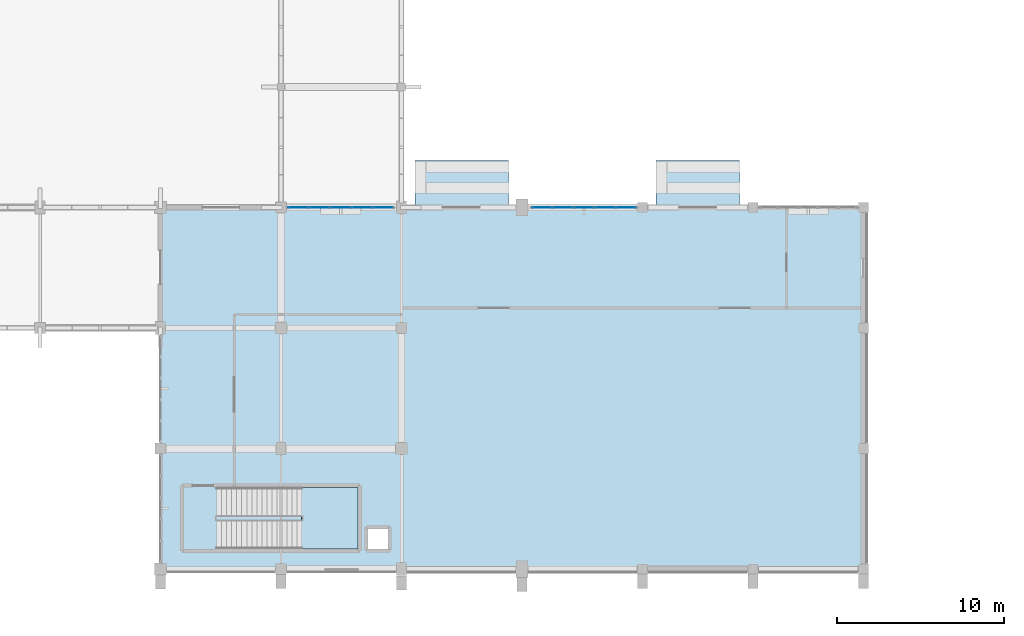
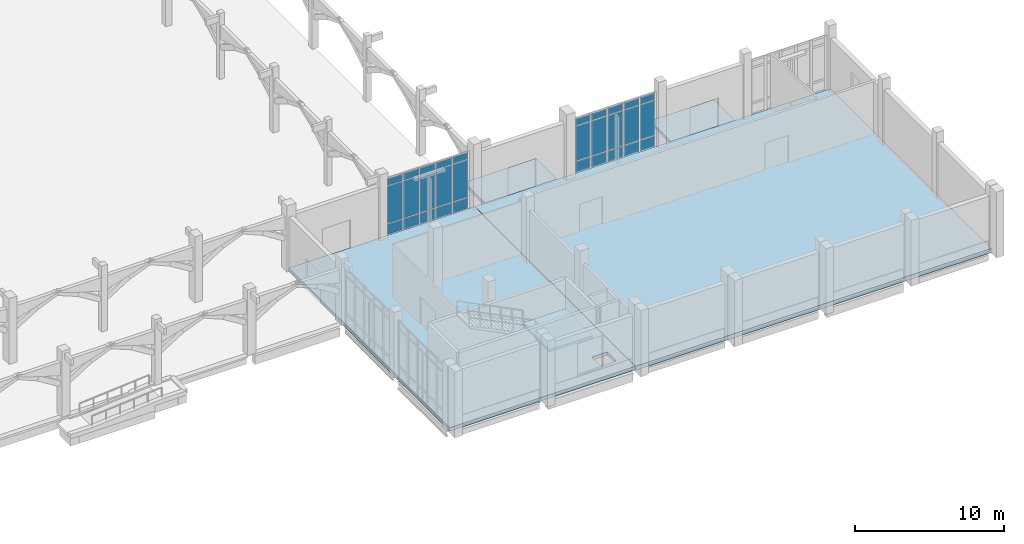
# One storey, part 78 of 110: 30 plates, 5 slabs, 3 elements without a shape of their own.
"""IFC4 building model written with IfcOpenShell, lengths in metres."""

from ifc_helpers import new_model, si_unit, direction, frame, origin, origin_2d, place, context, subcontext, project, spatial, polyline, rectangle, outline, extrude, material, layer, layer_set, type_object, element, aggregate, save


model = new_model("IFC4")

# Units and contexts
model_context = context("Model", 3, precision=1e-05, world=origin(), true_north=direction((0.0, 1.0)))
body_context = subcontext(model_context, "Body", "Model", "MODEL_VIEW")
ifc_project = project(units=[si_unit("LENGTHUNIT", "METRE"), si_unit("AREAUNIT", "SQUARE_METRE"), si_unit("VOLUMEUNIT", "CUBIC_METRE"), si_unit("PLANEANGLEUNIT", "RADIAN"), si_unit("MASSUNIT", "GRAM", prefix="KILO")], contexts=[model_context])

# Site, building, storey
site_placement = place(None, origin())
site = spatial("IfcSite", under=ifc_project, at=site_placement, CompositionType="ELEMENT")
building_placement = place(site_placement, origin())
building = spatial("IfcBuilding", under=site, at=building_placement, Name="Kalluvel Institute of Natural Sciences", CompositionType="ELEMENT")
storey_placement = place(building_placement, origin())
storey = spatial("IfcBuildingStorey", under=building, at=storey_placement, Name="L00", CompositionType="ELEMENT", Elevation=0.0)

# Curtain wall, plates
ifc_material_1 = material(Name="Aluminium AW-6063 T6", Category="aluminium")
curtain_wall_type = type_object("IfcCurtainWallType", Name="CW-SPAV-45", PredefinedType="USERDEFINED", material=ifc_material_1)
curtain_wall_1_placement = place(storey_placement, origin())
curtain_wall_1 = element("IfcCurtainWall", 1, at=curtain_wall_1_placement, inside=storey, type_object=curtain_wall_type, Name="L00 Gothic lancet curtain wall CWA-L00-X1080-Y356", ObjectType="UNITISED LANCET FACADE", PredefinedType="USERDEFINED")
ifc_material_2 = material(Name="Solar-Control Low-E Laminated Glass", Category="glass")
ifc_layer_1 = layer(ifc_material_2, 0.028076171875)
ifc_layer_set_1 = layer_set([ifc_layer_1], Name="Solar-Control Low-E Laminated Glass")
plate_type_1 = type_object("IfcPlateType", Name="CWP-DGU-28", PredefinedType="CURTAIN_PANEL", material=ifc_layer_set_1)
plate_1_placement = place(storey_placement, frame((108.628662109375, 35.60009765625, 0.06494140625), z_axis=(0.0, 0.0, 1.0), x_axis=(1.0, 0.0, 0.0)))
plate_1 = element("IfcPlate", 2, at=plate_1_placement, type_object=plate_type_1, Name="CW-10 panel 1.1", PredefinedType="CURTAIN_PANEL", context=body_context, shape_type="SweptSolid", body=[
    extrude(rectangle(XDim=1.177490234375, YDim=0.028076171875, at=origin_2d()), origin(), (0.0, 0.0, 1.0), 0.8525390625),
])
plate_2_placement = place(storey_placement, frame((108.628662109375, 35.60009765625, 0.982421875), z_axis=(0.0, 0.0, 1.0), x_axis=(1.0, 0.0, 0.0)))
plate_2 = element("IfcPlate", 3, at=plate_2_placement, type_object=plate_type_1, Name="CW-10 panel 1.2", PredefinedType="CURTAIN_PANEL", context=body_context, shape_type="SweptSolid", body=[
    extrude(rectangle(XDim=1.177490234375, YDim=0.028076171875, at=origin_2d()), origin(), (0.0, 0.0, 1.0), 3.034912109375),
])
plate_3_placement = place(storey_placement, frame((108.628662109375, 35.60009765625, 4.08251953125), z_axis=(0.0, 0.0, 1.0), x_axis=(1.0, 0.0, 0.0)))
plate_3 = element("IfcPlate", 4, at=plate_3_placement, type_object=plate_type_1, Name="CW-10 panel 1.3", PredefinedType="CURTAIN_PANEL", context=body_context, shape_type="SweptSolid", body=[
    extrude(rectangle(XDim=1.177490234375, YDim=0.028076171875, at=origin_2d()), origin(), (0.0, 0.0, 1.0), 0.552490234375),
])
plate_4_placement = place(storey_placement, frame((109.887451171875, 35.60009765625, 0.06494140625), z_axis=(0.0, 0.0, 1.0), x_axis=(1.0, 0.0, 0.0)))
plate_4 = element("IfcPlate", 5, at=plate_4_placement, type_object=plate_type_1, Name="CW-10 panel 2.1", PredefinedType="CURTAIN_PANEL", context=body_context, shape_type="SweptSolid", body=[
    extrude(rectangle(XDim=1.2099609375, YDim=0.028076171875, at=origin_2d()), origin(), (0.0, 0.0, 1.0), 0.8525390625),
])
plate_5_placement = place(storey_placement, frame((109.887451171875, 35.60009765625, 0.982421875), z_axis=(0.0, 0.0, 1.0), x_axis=(1.0, 0.0, 0.0)))
plate_5 = element("IfcPlate", 6, at=plate_5_placement, type_object=plate_type_1, Name="CW-10 panel 2.2", PredefinedType="CURTAIN_PANEL", context=body_context, shape_type="SweptSolid", body=[
    extrude(rectangle(XDim=1.2099609375, YDim=0.028076171875, at=origin_2d()), origin(), (0.0, 0.0, 1.0), 3.034912109375),
])
plate_6_placement = place(storey_placement, frame((109.887451171875, 35.60009765625, 4.08251953125), z_axis=(0.0, 0.0, 1.0), x_axis=(1.0, 0.0, 0.0)))
plate_6 = element("IfcPlate", 7, at=plate_6_placement, type_object=plate_type_1, Name="CW-10 panel 2.3", PredefinedType="CURTAIN_PANEL", context=body_context, shape_type="SweptSolid", body=[
    extrude(rectangle(XDim=1.2099609375, YDim=0.028076171875, at=origin_2d()), origin(), (0.0, 0.0, 1.0), 0.552490234375),
])
plate_7_placement = place(storey_placement, frame((111.16259765625, 35.60009765625, 0.06494140625), z_axis=(0.0, 0.0, 1.0), x_axis=(1.0, 0.0, 0.0)))
plate_7 = element("IfcPlate", 8, at=plate_7_placement, type_object=plate_type_1, Name="CW-10 panel 3.1", PredefinedType="CURTAIN_PANEL", context=body_context, shape_type="SweptSolid", body=[
    extrude(rectangle(XDim=1.2099609375, YDim=0.028076171875, at=origin_2d()), origin(), (0.0, 0.0, 1.0), 0.8525390625),
])
plate_8_placement = place(storey_placement, frame((111.16259765625, 35.60009765625, 0.982421875), z_axis=(0.0, 0.0, 1.0), x_axis=(1.0, 0.0, 0.0)))
plate_8 = element("IfcPlate", 9, at=plate_8_placement, type_object=plate_type_1, Name="CW-10 panel 3.2", PredefinedType="CURTAIN_PANEL", context=body_context, shape_type="SweptSolid", body=[
    extrude(rectangle(XDim=1.2099609375, YDim=0.028076171875, at=origin_2d()), origin(), (0.0, 0.0, 1.0), 3.034912109375),
])
plate_9_placement = place(storey_placement, frame((111.16259765625, 35.60009765625, 4.08251953125), z_axis=(0.0, 0.0, 1.0), x_axis=(1.0, 0.0, 0.0)))
plate_9 = element("IfcPlate", 10, at=plate_9_placement, type_object=plate_type_1, Name="CW-10 panel 3.3", PredefinedType="CURTAIN_PANEL", context=body_context, shape_type="SweptSolid", body=[
    extrude(rectangle(XDim=1.2099609375, YDim=0.028076171875, at=origin_2d()), origin(), (0.0, 0.0, 1.0), 0.552490234375),
])
plate_10_placement = place(storey_placement, frame((112.4375, 35.60009765625, 0.06494140625), z_axis=(0.0, 0.0, 1.0), x_axis=(1.0, 0.0, 0.0)))
plate_10 = element("IfcPlate", 11, at=plate_10_placement, type_object=plate_type_1, Name="CW-10 panel 4.1", PredefinedType="CURTAIN_PANEL", context=body_context, shape_type="SweptSolid", body=[
    extrude(rectangle(XDim=1.2099609375, YDim=0.028076171875, at=origin_2d()), origin(), (0.0, 0.0, 1.0), 0.8525390625),
])
plate_11_placement = place(storey_placement, frame((112.4375, 35.60009765625, 0.982421875), z_axis=(0.0, 0.0, 1.0), x_axis=(1.0, 0.0, 0.0)))
plate_11 = element("IfcPlate", 12, at=plate_11_placement, type_object=plate_type_1, Name="CW-10 panel 4.2", PredefinedType="CURTAIN_PANEL", context=body_context, shape_type="SweptSolid", body=[
    extrude(rectangle(XDim=1.2099609375, YDim=0.028076171875, at=origin_2d()), origin(), (0.0, 0.0, 1.0), 3.034912109375),
])
plate_12_placement = place(storey_placement, frame((112.4375, 35.60009765625, 4.08251953125), z_axis=(0.0, 0.0, 1.0), x_axis=(1.0, 0.0, 0.0)))
plate_12 = element("IfcPlate", 13, at=plate_12_placement, type_object=plate_type_1, Name="CW-10 panel 4.3", PredefinedType="CURTAIN_PANEL", context=body_context, shape_type="SweptSolid", body=[
    extrude(rectangle(XDim=1.2099609375, YDim=0.028076171875, at=origin_2d()), origin(), (0.0, 0.0, 1.0), 0.552490234375),
])
plate_13_placement = place(storey_placement, frame((113.6962890625, 35.60009765625, 0.06494140625), z_axis=(0.0, 0.0, 1.0), x_axis=(1.0, 0.0, 0.0)))
plate_13 = element("IfcPlate", 14, at=plate_13_placement, type_object=plate_type_1, Name="CW-10 panel 5.1", PredefinedType="CURTAIN_PANEL", context=body_context, shape_type="SweptSolid", body=[
    extrude(rectangle(XDim=1.177490234375, YDim=0.028076171875, at=origin_2d()), origin(), (0.0, 0.0, 1.0), 0.8525390625),
])
plate_14_placement = place(storey_placement, frame((113.6962890625, 35.60009765625, 0.982421875), z_axis=(0.0, 0.0, 1.0), x_axis=(1.0, 0.0, 0.0)))
plate_14 = element("IfcPlate", 15, at=plate_14_placement, type_object=plate_type_1, Name="CW-10 panel 5.2", PredefinedType="CURTAIN_PANEL", context=body_context, shape_type="SweptSolid", body=[
    extrude(rectangle(XDim=1.177490234375, YDim=0.028076171875, at=origin_2d()), origin(), (0.0, 0.0, 1.0), 3.034912109375),
])
plate_15_placement = place(storey_placement, frame((113.6962890625, 35.60009765625, 4.08251953125), z_axis=(0.0, 0.0, 1.0), x_axis=(1.0, 0.0, 0.0)))
plate_15 = element("IfcPlate", 16, at=plate_15_placement, type_object=plate_type_1, Name="CW-10 panel 5.3", PredefinedType="CURTAIN_PANEL", context=body_context, shape_type="SweptSolid", body=[
    extrude(rectangle(XDim=1.177490234375, YDim=0.028076171875, at=origin_2d()), origin(), (0.0, 0.0, 1.0), 0.552490234375),
])
aggregate(curtain_wall_1, [plate_1, plate_2, plate_3, plate_4, plate_5, plate_6, plate_7, plate_8, plate_9, plate_10, plate_11, plate_12, plate_13, plate_14, plate_15])

curtain_wall_2_placement = place(storey_placement, origin())
curtain_wall_2 = element("IfcCurtainWall", 17, at=curtain_wall_2_placement, inside=storey, type_object=curtain_wall_type, Name="L00 Gothic lancet curtain wall CWA-L00-X1226-Y356", ObjectType="UNITISED LANCET FACADE", PredefinedType="USERDEFINED")
ifc_layer_2 = layer(ifc_material_2, 0.031982421875)
ifc_layer_set_2 = layer_set([ifc_layer_2], Name="Solar-Control Low-E Laminated Glass")
plate_type_2 = type_object("IfcPlateType", Name="CWP-DGU-32", PredefinedType="CURTAIN_PANEL", material=ifc_layer_set_2)
plate_16_placement = place(storey_placement, frame((123.197509765625, 35.60009765625, 0.06982421875), z_axis=(0.0, 0.0, 1.0), x_axis=(1.0, 0.0, 0.0)))
plate_16 = element("IfcPlate", 18, at=plate_16_placement, type_object=plate_type_2, Name="CW-10 panel 1.1", PredefinedType="CURTAIN_PANEL", context=body_context, shape_type="SweptSolid", body=[
    extrude(rectangle(XDim=1.155029296875, YDim=0.031982421875, at=origin_2d()), origin(), (0.0, 0.0, 1.0), 0.844970703125),
])
plate_17_placement = place(storey_placement, frame((123.197509765625, 35.60009765625, 0.98486328125), z_axis=(0.0, 0.0, 1.0), x_axis=(1.0, 0.0, 0.0)))
plate_17 = element("IfcPlate", 19, at=plate_17_placement, type_object=plate_type_2, Name="CW-10 panel 1.2", PredefinedType="CURTAIN_PANEL", context=body_context, shape_type="SweptSolid", body=[
    extrude(rectangle(XDim=1.155029296875, YDim=0.031982421875, at=origin_2d()), origin(), (0.0, 0.0, 1.0), 2.830078125),
])
plate_18_placement = place(storey_placement, frame((123.197509765625, 35.60009765625, 3.885009765625), z_axis=(0.0, 0.0, 1.0), x_axis=(1.0, 0.0, 0.0)))
plate_18 = element("IfcPlate", 20, at=plate_18_placement, type_object=plate_type_2, Name="CW-10 panel 1.3", PredefinedType="CURTAIN_PANEL", context=body_context, shape_type="SweptSolid", body=[
    extrude(rectangle(XDim=1.155029296875, YDim=0.031982421875, at=origin_2d()), origin(), (0.0, 0.0, 1.0), 0.544921875),
])
plate_19_placement = place(storey_placement, frame((124.43994140625, 35.60009765625, 0.06982421875), z_axis=(0.0, 0.0, 1.0), x_axis=(1.0, 0.0, 0.0)))
plate_19 = element("IfcPlate", 21, at=plate_19_placement, type_object=plate_type_2, Name="CW-10 panel 2.1", PredefinedType="CURTAIN_PANEL", context=body_context, shape_type="SweptSolid", body=[
    extrude(rectangle(XDim=1.18994140625, YDim=0.031982421875, at=origin_2d()), origin(), (0.0, 0.0, 1.0), 0.844970703125),
])
plate_20_placement = place(storey_placement, frame((124.43994140625, 35.60009765625, 0.98486328125), z_axis=(0.0, 0.0, 1.0), x_axis=(1.0, 0.0, 0.0)))
plate_20 = element("IfcPlate", 22, at=plate_20_placement, type_object=plate_type_2, Name="CW-10 panel 2.2", PredefinedType="CURTAIN_PANEL", context=body_context, shape_type="SweptSolid", body=[
    extrude(rectangle(XDim=1.18994140625, YDim=0.031982421875, at=origin_2d()), origin(), (0.0, 0.0, 1.0), 2.830078125),
])
plate_21_placement = place(storey_placement, frame((124.43994140625, 35.60009765625, 3.885009765625), z_axis=(0.0, 0.0, 1.0), x_axis=(1.0, 0.0, 0.0)))
plate_21 = element("IfcPlate", 23, at=plate_21_placement, type_object=plate_type_2, Name="CW-10 panel 2.3", PredefinedType="CURTAIN_PANEL", context=body_context, shape_type="SweptSolid", body=[
    extrude(rectangle(XDim=1.18994140625, YDim=0.031982421875, at=origin_2d()), origin(), (0.0, 0.0, 1.0), 0.544921875),
])
plate_22_placement = place(storey_placement, frame((125.699951171875, 35.60009765625, 0.06982421875), z_axis=(0.0, 0.0, 1.0), x_axis=(1.0, 0.0, 0.0)))
plate_22 = element("IfcPlate", 24, at=plate_22_placement, type_object=plate_type_2, Name="CW-10 panel 3.1", PredefinedType="CURTAIN_PANEL", context=body_context, shape_type="SweptSolid", body=[
    extrude(rectangle(XDim=1.18994140625, YDim=0.031982421875, at=origin_2d()), origin(), (0.0, 0.0, 1.0), 0.844970703125),
])
plate_23_placement = place(storey_placement, frame((125.699951171875, 35.60009765625, 0.98486328125), z_axis=(0.0, 0.0, 1.0), x_axis=(1.0, 0.0, 0.0)))
plate_23 = element("IfcPlate", 25, at=plate_23_placement, type_object=plate_type_2, Name="CW-10 panel 3.2", PredefinedType="CURTAIN_PANEL", context=body_context, shape_type="SweptSolid", body=[
    extrude(rectangle(XDim=1.18994140625, YDim=0.031982421875, at=origin_2d()), origin(), (0.0, 0.0, 1.0), 2.830078125),
])
plate_24_placement = place(storey_placement, frame((125.699951171875, 35.60009765625, 3.885009765625), z_axis=(0.0, 0.0, 1.0), x_axis=(1.0, 0.0, 0.0)))
plate_24 = element("IfcPlate", 26, at=plate_24_placement, type_object=plate_type_2, Name="CW-10 panel 3.3", PredefinedType="CURTAIN_PANEL", context=body_context, shape_type="SweptSolid", body=[
    extrude(rectangle(XDim=1.18994140625, YDim=0.031982421875, at=origin_2d()), origin(), (0.0, 0.0, 1.0), 0.544921875),
])
plate_25_placement = place(storey_placement, frame((126.9599609375, 35.60009765625, 0.06982421875), z_axis=(0.0, 0.0, 1.0), x_axis=(1.0, 0.0, 0.0)))
plate_25 = element("IfcPlate", 27, at=plate_25_placement, type_object=plate_type_2, Name="CW-10 panel 4.1", PredefinedType="CURTAIN_PANEL", context=body_context, shape_type="SweptSolid", body=[
    extrude(rectangle(XDim=1.18994140625, YDim=0.031982421875, at=origin_2d()), origin(), (0.0, 0.0, 1.0), 0.844970703125),
])
plate_26_placement = place(storey_placement, frame((126.9599609375, 35.60009765625, 0.98486328125), z_axis=(0.0, 0.0, 1.0), x_axis=(1.0, 0.0, 0.0)))
plate_26 = element("IfcPlate", 28, at=plate_26_placement, type_object=plate_type_2, Name="CW-10 panel 4.2", PredefinedType="CURTAIN_PANEL", context=body_context, shape_type="SweptSolid", body=[
    extrude(rectangle(XDim=1.18994140625, YDim=0.031982421875, at=origin_2d()), origin(), (0.0, 0.0, 1.0), 2.830078125),
])
plate_27_placement = place(storey_placement, frame((126.9599609375, 35.60009765625, 3.885009765625), z_axis=(0.0, 0.0, 1.0), x_axis=(1.0, 0.0, 0.0)))
plate_27 = element("IfcPlate", 29, at=plate_27_placement, type_object=plate_type_2, Name="CW-10 panel 4.3", PredefinedType="CURTAIN_PANEL", context=body_context, shape_type="SweptSolid", body=[
    extrude(rectangle(XDim=1.18994140625, YDim=0.031982421875, at=origin_2d()), origin(), (0.0, 0.0, 1.0), 0.544921875),
])
plate_28_placement = place(storey_placement, frame((128.202392578125, 35.60009765625, 0.06982421875), z_axis=(0.0, 0.0, 1.0), x_axis=(1.0, 0.0, 0.0)))
plate_28 = element("IfcPlate", 30, at=plate_28_placement, type_object=plate_type_2, Name="CW-10 panel 5.1", PredefinedType="CURTAIN_PANEL", context=body_context, shape_type="SweptSolid", body=[
    extrude(rectangle(XDim=1.155029296875, YDim=0.031982421875, at=origin_2d()), origin(), (0.0, 0.0, 1.0), 0.844970703125),
])
plate_29_placement = place(storey_placement, frame((128.202392578125, 35.60009765625, 0.98486328125), z_axis=(0.0, 0.0, 1.0), x_axis=(1.0, 0.0, 0.0)))
plate_29 = element("IfcPlate", 31, at=plate_29_placement, type_object=plate_type_2, Name="CW-10 panel 5.2", PredefinedType="CURTAIN_PANEL", context=body_context, shape_type="SweptSolid", body=[
    extrude(rectangle(XDim=1.155029296875, YDim=0.031982421875, at=origin_2d()), origin(), (0.0, 0.0, 1.0), 2.830078125),
])
plate_30_placement = place(storey_placement, frame((128.202392578125, 35.60009765625, 3.885009765625), z_axis=(0.0, 0.0, 1.0), x_axis=(1.0, 0.0, 0.0)))
plate_30 = element("IfcPlate", 32, at=plate_30_placement, type_object=plate_type_2, Name="CW-10 panel 5.3", PredefinedType="CURTAIN_PANEL", context=body_context, shape_type="SweptSolid", body=[
    extrude(rectangle(XDim=1.155029296875, YDim=0.031982421875, at=origin_2d()), origin(), (0.0, 0.0, 1.0), 0.544921875),
])
aggregate(curtain_wall_2, [plate_16, plate_17, plate_18, plate_19, plate_20, plate_21, plate_22, plate_23, plate_24, plate_25, plate_26, plate_27, plate_28, plate_29, plate_30])

# Slabs
ifc_material_3 = material(Name="Sadarahalli Grey Granite Ashlar Concrete M40", Category="masonry")
ifc_layer_3 = layer(ifc_material_3, 0.239990234375)
ifc_layer_set_3 = layer_set([ifc_layer_3], Name="Sadarahalli Grey Granite Ashlar Concrete M40")
slab_type_1 = type_object("IfcSlabType", Name="SLB-APR-240", PredefinedType="FLOOR", material=ifc_layer_set_3)
slab_1_placement = place(storey_placement, frame((0.0, 0.0, -0.239990234375)))
element("IfcSlab", 33, at=slab_1_placement, inside=storey, type_object=slab_type_1, Name="Ground entrance granite threshold apron E10", PredefinedType="FLOOR", context=body_context, shape_type="SweptSolid", body=[
    extrude(outline(polyline([(115.60009765625, 35.60009765625), (121.199951171875, 35.60009765625), (121.199951171875, 38.39990234375), (115.60009765625, 38.39990234375), (115.60009765625, 35.60009765625)])), origin(), (0.0, 0.0, 1.0), 0.239990234375),
])
slab_2_placement = place(storey_placement, frame((0.0, 0.0, -0.239990234375)))
element("IfcSlab", 34, at=slab_2_placement, inside=storey, type_object=slab_type_1, Name="Ground entrance granite threshold apron E11", PredefinedType="FLOOR", context=body_context, shape_type="SweptSolid", body=[
    extrude(outline(polyline([(130.0, 35.60009765625), (135.0, 35.60009765625), (135.0, 38.39990234375), (130.0, 38.39990234375), (130.0, 35.60009765625)])), origin(), (0.0, 0.0, 1.0), 0.239990234375),
])
ifc_material_4 = material(Name="Concrete M40", Category="concrete")
ifc_layer_4 = layer(ifc_material_4, 0.280029296875)
ifc_layer_set_4 = layer_set([ifc_layer_4], Name="Concrete M40")
slab_type_2 = type_object("IfcSlabType", Name="SLB-ATR-280", PredefinedType="FLOOR", material=ifc_layer_set_4)
slab_3_placement = place(storey_placement, frame((0.0, 0.0, -0.280029296875)))
element("IfcSlab", 35, at=slab_3_placement, inside=storey, type_object=slab_type_2, Name="L00 East Research Commons and Lecture Hub Slab", PredefinedType="FLOOR", context=body_context, shape_type="SweptSolid", body=[
    extrude(outline(polyline([(100.39990234375, 14.0), (114.800048828125, 14.0), (114.800048828125, 35.60009765625), (100.39990234375, 35.60009765625), (100.39990234375, 14.0)]), holes=[polyline([(112.800048828125, 15.199951171875), (112.800048828125, 16.39990234375), (114.0, 16.39990234375), (114.0, 15.199951171875), (112.800048828125, 15.199951171875)])]), origin(), (0.0, 0.0, 1.0), 0.280029296875),
])
ifc_layer_5 = layer(ifc_material_4, 0.340087890625)
ifc_layer_set_5 = layer_set([ifc_layer_5], Name="Concrete M40")
slab_type_3 = type_object("IfcSlabType", Name="SLB-LEC-340", PredefinedType="FLOOR", material=ifc_layer_set_5)
slab_4_placement = place(storey_placement, frame((0.0, 0.0, -0.340087890625)))
element("IfcSlab", 36, at=slab_4_placement, inside=storey, type_object=slab_type_3, Name="L00 Lecture Theatre Structural Floor Slab", PredefinedType="FLOOR", context=body_context, shape_type="SweptSolid", body=[
    extrude(outline(polyline([(114.800048828125, 14.0), (142.39990234375, 14.0), (142.39990234375, 35.60009765625), (114.800048828125, 35.60009765625), (114.800048828125, 14.0)])), origin(), (0.0, 0.0, 1.0), 0.340087890625),
])

# Stair, slab
stair_type = type_object("IfcStairType", Name="STR-ST5-54", PredefinedType="HALF_TURN_STAIR", material=ifc_material_4)
stair_placement = place(storey_placement, origin())
stair = element("IfcStair", 37, at=stair_placement, inside=storey, type_object=stair_type, Name="L00 East Commons and Lecture Hub Protected Exit Stair ST7", PredefinedType="HALF_TURN_STAIR")
ifc_layer_6 = layer(ifc_material_4, 0.199951171875)
ifc_layer_set_6 = layer_set([ifc_layer_6], Name="Concrete M40")
slab_type_4 = type_object("IfcSlabType", Name="SLD-ST5", PredefinedType="LANDING", material=ifc_layer_set_6)
slab_5_placement = place(storey_placement, frame((0.0, 0.0, 2.5)))
slab_5 = element("IfcSlab", 38, at=slab_5_placement, type_object=slab_type_4, Name="S5-54 landing 1", PredefinedType="LANDING", context=body_context, shape_type="SweptSolid", body=[
    extrude(outline(polyline([(108.83203125, 15.199951171875), (112.199951171875, 15.199951171875), (112.199951171875, 18.8701171875), (108.83203125, 18.8701171875), (108.83203125, 15.199951171875)])), origin(), (0.0, 0.0, 1.0), 0.199951171875),
])
aggregate(stair, [slab_5])

save(model, "model.ifc")
